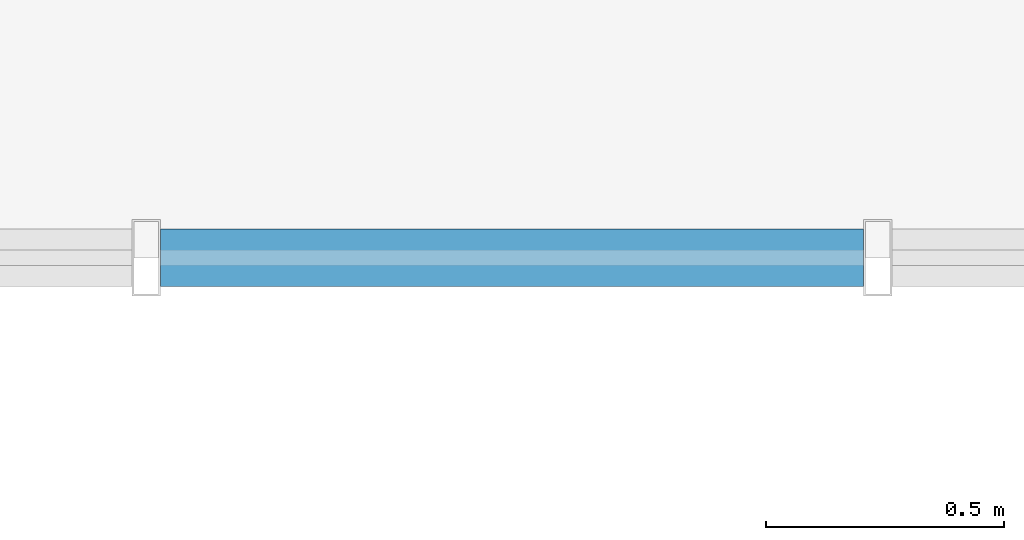
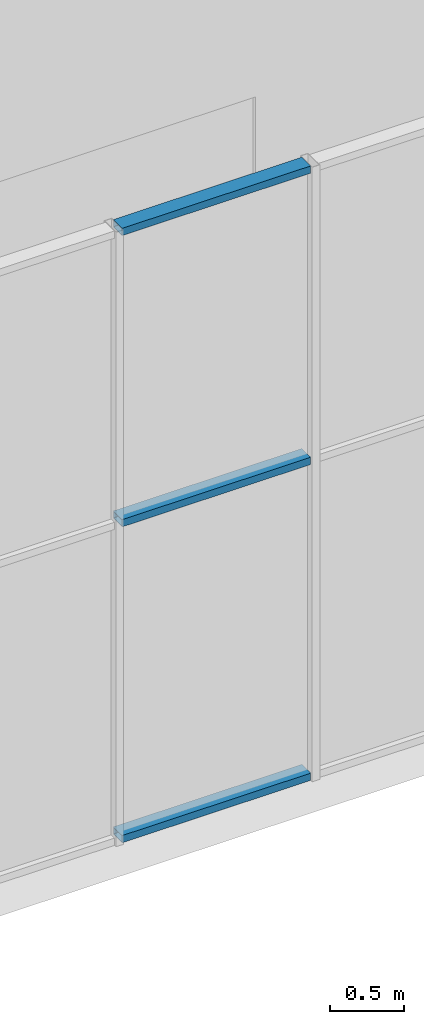
# One storey, part 38 of 91: 3 members, 1 element without a shape of its own.
"""IFC4 building model written with IfcOpenShell, lengths in metres."""

from ifc_helpers import new_model, si_unit, direction, frame, origin, origin_2d, place, context, subcontext, project, spatial, hollow_rectangle, extrude, material, material_profile, profile_set, type_object, element, aggregate, save


model = new_model("IFC4")

# Units and contexts
model_context = context("Model", 3, precision=1e-05, world=origin(), true_north=direction((0.0, 1.0)))
body_context = subcontext(model_context, "Body", "Model", "MODEL_VIEW")
ifc_project = project(units=[si_unit("LENGTHUNIT", "METRE"), si_unit("AREAUNIT", "SQUARE_METRE"), si_unit("VOLUMEUNIT", "CUBIC_METRE"), si_unit("PLANEANGLEUNIT", "RADIAN"), si_unit("MASSUNIT", "GRAM", prefix="KILO")], contexts=[model_context])

# Site, building, storey
site_placement = place(None, origin())
site = spatial("IfcSite", under=ifc_project, at=site_placement, CompositionType="ELEMENT")
building_placement = place(site_placement, origin())
building = spatial("IfcBuilding", under=site, at=building_placement, Name="Khurvash Pelagic Aquarium", CompositionType="ELEMENT")
storey_placement = place(building_placement, origin())
storey = spatial("IfcBuildingStorey", under=building, at=storey_placement, Name="L00", CompositionType="ELEMENT", Elevation=0.0)

# Curtain wall, members
ifc_material_1 = material(Name="Anodised aluminium and low-E laminated glass", Category="aluminium")
curtain_wall_type = type_object("IfcCurtainWallType", Name="CW-02", PredefinedType="USERDEFINED", material=ifc_material_1)
curtain_wall_placement = place(storey_placement, origin())
curtain_wall = element("IfcCurtainWall", 1, at=curtain_wall_placement, inside=storey, type_object=curtain_wall_type, Name="L00 Facade Unitised Curtain Wall CW-02 0081", ObjectType="UNITISED CURTAIN WALL", PredefinedType="USERDEFINED")
ifc_material_2 = material(Name="Extruded aluminium AW-6063-T6", Category="aluminium")
ifc_material_profile = material_profile(ifc_material_2, hollow_rectangle(XDim=0.1201171875, YDim=0.06005859375, WallThickness=0.00390625, at=origin_2d()), Name="CWT120X60X4")
ifc_profile_set = profile_set([ifc_material_profile], Name="Extruded aluminium AW-6063-T6")
member_type = type_object("IfcMemberType", Name="CT-02", PredefinedType="USERDEFINED", material=ifc_profile_set)
member_1_placement = place(storey_placement, frame((46.9990234375, 93.10009765625, 0.030029296875), z_axis=(1.0, 0.0, 0.0), x_axis=(0.0, 1.0, 0.0)))
member_1 = element("IfcMember", 2, at=member_1_placement, type_object=member_type, Name="CW-02 transom 4.1", ObjectType="TRANSOM", PredefinedType="USERDEFINED", context=body_context, shape_type="SweptSolid", body=[
    extrude(hollow_rectangle(XDim=0.1201171875, YDim=0.06005859375, WallThickness=0.00390625, at=origin_2d()), origin(), (0.0, 0.0, 1.0), 1.47802734375),
])
member_2_placement = place(storey_placement, frame((46.9990234375, 93.10009765625, 2.64697265625), z_axis=(1.0, 0.0, 0.0), x_axis=(0.0, 1.0, 0.0)))
member_2 = element("IfcMember", 3, at=member_2_placement, type_object=member_type, Name="CW-02 transom 4.2", ObjectType="TRANSOM", PredefinedType="USERDEFINED", context=body_context, shape_type="SweptSolid", body=[
    extrude(hollow_rectangle(XDim=0.1201171875, YDim=0.06005859375, WallThickness=0.00390625, at=origin_2d()), origin(), (0.0, 0.0, 1.0), 1.47802734375),
])
member_3_placement = place(storey_placement, frame((46.9990234375, 93.10009765625, 5.06005859375), z_axis=(1.0, 0.0, 0.0), x_axis=(0.0, 1.0, 0.0)))
member_3 = element("IfcMember", 4, at=member_3_placement, type_object=member_type, Name="CW-02 transom 4.3", ObjectType="TRANSOM", PredefinedType="USERDEFINED", context=body_context, shape_type="SweptSolid", body=[
    extrude(hollow_rectangle(XDim=0.1201171875, YDim=0.06005859375, WallThickness=0.00390625, at=origin_2d()), origin(), (0.0, 0.0, 1.0), 1.47802734375),
])
aggregate(curtain_wall, [member_1, member_2, member_3])

save(model, "model.ifc")
